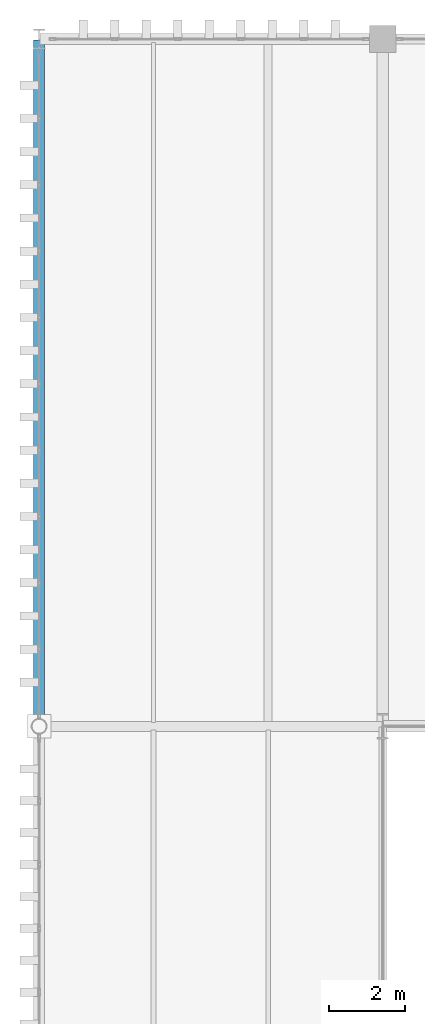
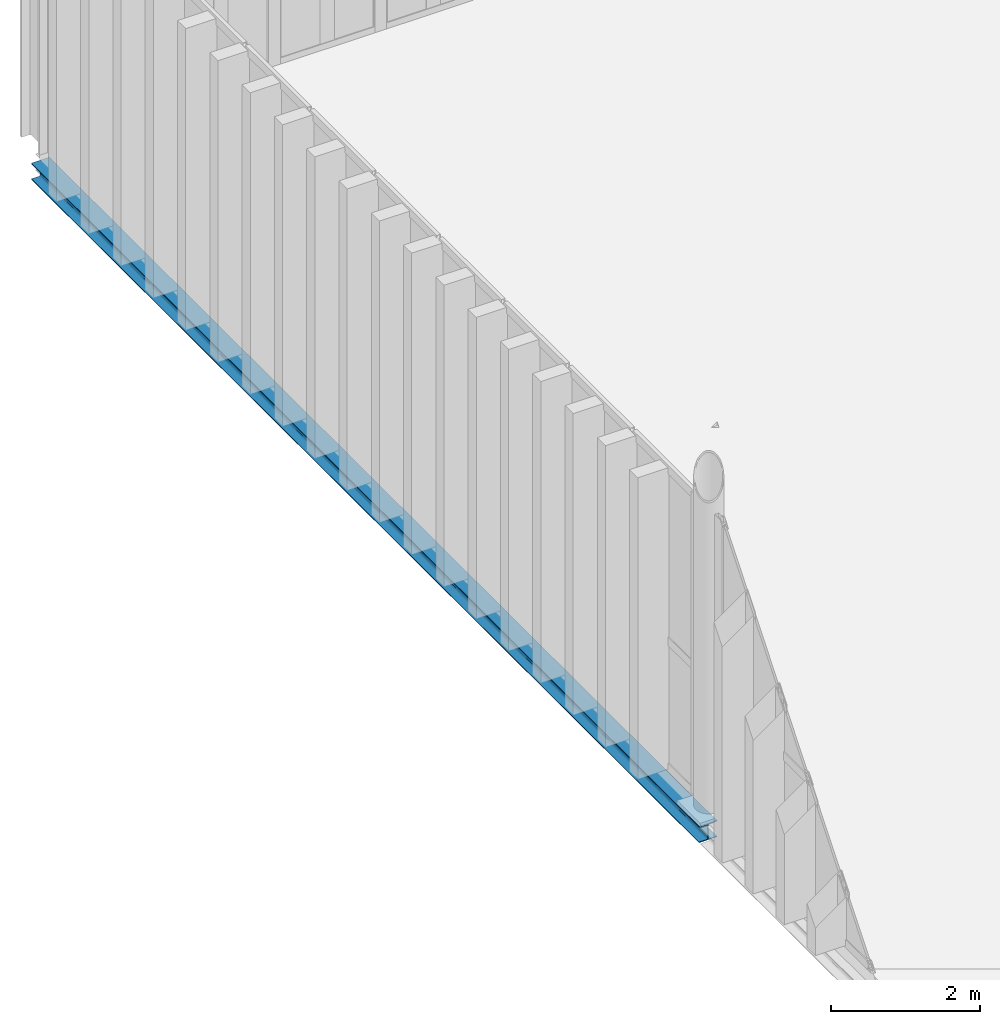
# One storey, part 81 of 211: 1 beam.
"""IFC4 building model written with IfcOpenShell, lengths in metres."""

import ifcopenshell
import ifcopenshell.guid

model = None  # the IFC model being written
_history = None  # IfcOwnerHistory: only IFC2X3 demands one
_inside = {}  # id of a spatial element -> (the spatial element, [elements in it])
_under = {}  # id of a project, library or spatial element -> (it, [spatial elements below it])
_declared = {}  # id of a project -> (the project, [libraries it declares])
_typed = {}  # id of a type object -> (the type object, [elements of that type])
_made_of = {}  # id of a material, layer set ... -> (it, [elements and type objects made of it])


def new_model(schema):
    """Start an empty IFC model of exactly this schema.

    Asked for "IFC4X3", IfcOpenShell would pick the latest addendum, in which some entities
    have other attributes; the version numbers below select the first issue.
    IFC2X3 requires an IfcOwnerHistory on every rooted entity: one is made here for all.
    """
    global model, _history
    if schema == "IFC4X3":
        model = ifcopenshell.file(schema_version=(4, 3, 0, 0))
    else:
        model = ifcopenshell.file(schema=schema)
    _inside.clear()
    _under.clear()
    _declared.clear()
    _typed.clear()
    _made_of.clear()
    _history = None
    if model.schema == "IFC2X3":
        org = make("IfcOrganization", Name="unknown")
        user = make(
            "IfcPersonAndOrganization",
            ThePerson=make("IfcPerson", FamilyName="unknown"),
            TheOrganization=org,
        )
        app = make(
            "IfcApplication",
            ApplicationDeveloper=org,
            Version="unknown",
            ApplicationFullName="unknown",
            ApplicationIdentifier="unknown",
        )
        _history = make(
            "IfcOwnerHistory",
            OwningUser=user,
            OwningApplication=app,
            ChangeAction="ADDED",
            CreationDate=0,
        )
    return model


def make(cls, **values):
    """One entity of the class cls with the attributes given. An attribute that is None is left unset."""
    return model.create_entity(
        cls, **{name: value for name, value in values.items() if value is not None}
    )


def rooted(cls, **values):
    """An entity with a GlobalId (a new one), such as an element, a storey or a relation."""
    return make(cls, GlobalId=ifcopenshell.guid.new(), OwnerHistory=_history, **values)


def si_unit(unit_type, name, prefix=None):
    """IfcSIUnit, for example si_unit("LENGTHUNIT", "METRE", prefix="MILLI")."""
    return make("IfcSIUnit", UnitType=unit_type, Prefix=prefix, Name=name)


def assignment(units):
    """IfcUnitAssignment: the units of a project."""
    return None if units is None else make("IfcUnitAssignment", Units=units)


def point(xyz):
    """IfcCartesianPoint."""
    return None if xyz is None else make("IfcCartesianPoint", Coordinates=xyz)


def direction(xyz):
    """IfcDirection."""
    return None if xyz is None else make("IfcDirection", DirectionRatios=xyz)


def frame(location, z_axis=None, x_axis=None):
    """IfcAxis2Placement3D, a coordinate frame: its origin and axes. An axis left out is left unset."""
    return make(
        "IfcAxis2Placement3D",
        Location=point(location),
        Axis=direction(z_axis),
        RefDirection=direction(x_axis),
    )


def frame_2d(location, x_axis=None):
    """IfcAxis2Placement2D, a coordinate frame in the plane: its origin and x axis."""
    return make(
        "IfcAxis2Placement2D", Location=point(location), RefDirection=direction(x_axis)
    )


def origin():
    """The frame at (0, 0, 0) with its axes left unset."""
    return frame((0.0, 0.0, 0.0))


def origin_2d():
    """The frame at (0, 0) in the plane with its x axis left unset."""
    return frame_2d((0.0, 0.0))


def place(relative_to, where):
    """IfcLocalPlacement: puts the frame where relative to a parent placement (None: the world)."""
    return make(
        "IfcLocalPlacement", PlacementRelTo=relative_to, RelativePlacement=where
    )


def context(
    kind, dimensions, precision=None, world=None, true_north=None, identifier=None
):
    """IfcGeometricRepresentationContext, for example the 3D "Model" context."""
    return make(
        "IfcGeometricRepresentationContext",
        ContextIdentifier=identifier,
        ContextType=kind,
        CoordinateSpaceDimension=dimensions,
        Precision=precision,
        WorldCoordinateSystem=world,
        TrueNorth=true_north,
    )


def subcontext(parent, identifier, kind, view, scale=None):
    """IfcGeometricRepresentationSubContext, for example "Body" below "Model"."""
    return make(
        "IfcGeometricRepresentationSubContext",
        ContextIdentifier=identifier,
        ContextType=kind,
        ParentContext=parent,
        TargetScale=scale,
        TargetView=view,
    )


def project(units=None, contexts=None):
    """IfcProject with its units and contexts."""
    return rooted(
        "IfcProject",
        Name="project",
        RepresentationContexts=contexts,
        UnitsInContext=assignment(units),
    )


def spatial(cls, under=None, at=None, **own):
    """A site, building, storey or space (cls), placed at a placement, below another one or the project."""
    s = rooted(cls, ObjectPlacement=at, **own)
    if under is not None:
        _under.setdefault(under.id(), (under, []))[1].append(s)
    return s


def profile(cls, at=None, kind="AREA", **sizes):
    """A parametric profile (cls). Its sizes go by their IFC names, for example OverallWidth=200.0."""
    return make(cls, ProfileType=kind, Position=at, **sizes)


def i_section(**sizes):
    """IfcIShapeProfileDef."""
    return profile("IfcIShapeProfileDef", **sizes)


def extrude(swept, where, along, depth):
    """IfcExtrudedAreaSolid: the profile swept, set in the frame where, extruded along a direction by depth."""
    return make(
        "IfcExtrudedAreaSolid",
        SweptArea=swept,
        Position=where,
        ExtrudedDirection=direction(along),
        Depth=depth,
    )


def shape(context_of_items, identifier, shape_type, items):
    """IfcShapeRepresentation: the items that make up one representation, for example the "Body"."""
    return make(
        "IfcShapeRepresentation",
        ContextOfItems=context_of_items,
        RepresentationIdentifier=identifier,
        RepresentationType=shape_type,
        Items=items,
    )


def material(Name=None, Category=None):
    """IfcMaterial."""
    return make("IfcMaterial", Name=Name, Category=Category)


def material_profile(
    of_material, cross_section, Name=None, Category=None, Priority=None
):
    """IfcMaterialProfile: a cross section and its material."""
    return make(
        "IfcMaterialProfile",
        Name=Name,
        Material=of_material,
        Profile=cross_section,
        Priority=Priority,
        Category=Category,
    )


def profile_set(profiles, Name=None, composite=None):
    """IfcMaterialProfileSet."""
    return make(
        "IfcMaterialProfileSet",
        Name=Name,
        MaterialProfiles=profiles,
        CompositeProfile=composite,
    )


def made_of(thing, what):
    """Note that an element or type object is made of a material, layer set ...; save() writes the relation."""
    if what is not None:
        _made_of.setdefault(what.id(), (what, []))[1].append(thing)
    return thing


def type_object(cls, material=None, **own):
    """A type object (cls), such as IfcWallType, which elements share."""
    return made_of(rooted(cls, **own), material)


def element(
    cls,
    number,
    at=None,
    inside=None,
    cuts=None,
    type_object=None,
    material=None,
    context=None,
    identifier="Body",
    shape_type=None,
    held_by="IfcProductDefinitionShape",
    body=None,
    shapes=None,
    **own,
):
    """One element of the class cls, such as IfcWall. Its Tag is "e" and its number.

    at: its placement. inside: the storey or other place that contains it. cuts: it is an
    opening in that element (IfcRelVoidsElement). A single representation is given by context,
    identifier, shape_type and body (its items); several are given by shapes. held_by: the class
    of the entity that holds the representations. save() writes the other relations.
    """
    e = rooted(cls, Tag="e%d" % number, ObjectPlacement=at, **own)
    if body is not None:
        shapes = [shape(context, identifier, shape_type, body)]
    if shapes is not None:
        e.Representation = make(held_by, Representations=shapes)
    if inside is not None:
        _inside.setdefault(inside.id(), (inside, []))[1].append(e)
    if cuts is not None:
        rooted(
            "IfcRelVoidsElement", RelatingBuildingElement=cuts, RelatedOpeningElement=e
        )
    if type_object is not None:
        _typed.setdefault(type_object.id(), (type_object, []))[1].append(e)
    return made_of(e, material)


def aggregate(whole, parts):
    """IfcRelAggregates: a whole, such as a stair, and the parts it consists of."""
    return rooted("IfcRelAggregates", RelatingObject=whole, RelatedObjects=parts)


def save(model, path):
    """Write the relations noted so far, then the file.

    IfcRelAggregates (storeys below a building ...), IfcRelContainedInSpatialStructure (elements
    in a storey), IfcRelDefinesByType, IfcRelAssociatesMaterial and IfcRelDeclares: one each for
    every whole, place, type object, material and project.
    """
    for whole, parts in _under.values():
        aggregate(whole, parts)
    for where, things in _inside.values():
        rooted(
            "IfcRelContainedInSpatialStructure",
            RelatedElements=things,
            RelatingStructure=where,
        )
    for kind, things in _typed.values():
        rooted("IfcRelDefinesByType", RelatedObjects=things, RelatingType=kind)
    for what, things in _made_of.values():
        rooted("IfcRelAssociatesMaterial", RelatedObjects=things, RelatingMaterial=what)
    for by, libraries in _declared.values():
        rooted("IfcRelDeclares", RelatingContext=by, RelatedDefinitions=libraries)
    model.write(path)


model = new_model("IFC4")

# Units and contexts
model_context = context("Model", 3, precision=1e-05, world=origin(), true_north=direction((0.0, 1.0)))
body_context = subcontext(model_context, "Body", "Model", "MODEL_VIEW")
ifc_project = project(units=[si_unit("LENGTHUNIT", "METRE"), si_unit("AREAUNIT", "SQUARE_METRE"), si_unit("VOLUMEUNIT", "CUBIC_METRE"), si_unit("PLANEANGLEUNIT", "RADIAN"), si_unit("MASSUNIT", "GRAM", prefix="KILO")], contexts=[model_context])

# Site, building, storey
site_placement = place(None, origin())
site = spatial("IfcSite", under=ifc_project, at=site_placement, CompositionType="ELEMENT")
building_placement = place(site_placement, origin())
building = spatial("IfcBuilding", under=site, at=building_placement, Name="Barlavento Convention Centre", CompositionType="ELEMENT")
storey_placement = place(building_placement, frame((0.0, 0.0, 6.0)))
storey = spatial("IfcBuildingStorey", under=building, at=storey_placement, Name="L01", CompositionType="ELEMENT", Elevation=6.0)

# Beam
ifc_material = material(Name="Steel S355", Category="steel")
ifc_material_profile = material_profile(ifc_material, i_section(OverallWidth=0.280029296875, OverallDepth=0.27001953125, WebThickness=0.008056640625, FlangeThickness=0.012939453125, FilletRadius=0.02392578125, at=origin_2d()), Name="HEA 280")
ifc_profile_set = profile_set([ifc_material_profile], Name="Steel S355")
beam_type = type_object("IfcBeamType", Name="STR-BM-SPN-HEA280", PredefinedType="SPANDREL", material=ifc_profile_set)
beam_placement = place(storey_placement, frame((0.0, 117.02001953125, -0.4150390625), z_axis=(0.0, 1.0, 0.0), x_axis=(-1.0, 0.0, 0.0)))
element("IfcBeam", 1, at=beam_placement, inside=storey, type_object=beam_type, Name="L01 grid girder SP03", PredefinedType="SPANDREL", context=body_context, shape_type="SweptSolid", body=[
    extrude(i_section(OverallWidth=0.280029296875, OverallDepth=0.27001953125, WebThickness=0.008056640625, FlangeThickness=0.012939453125, FilletRadius=0.02392578125, at=origin_2d()), origin(), (0.0, 0.0, 1.0), 17.9599609375),
])

save(model, "model.ifc")
